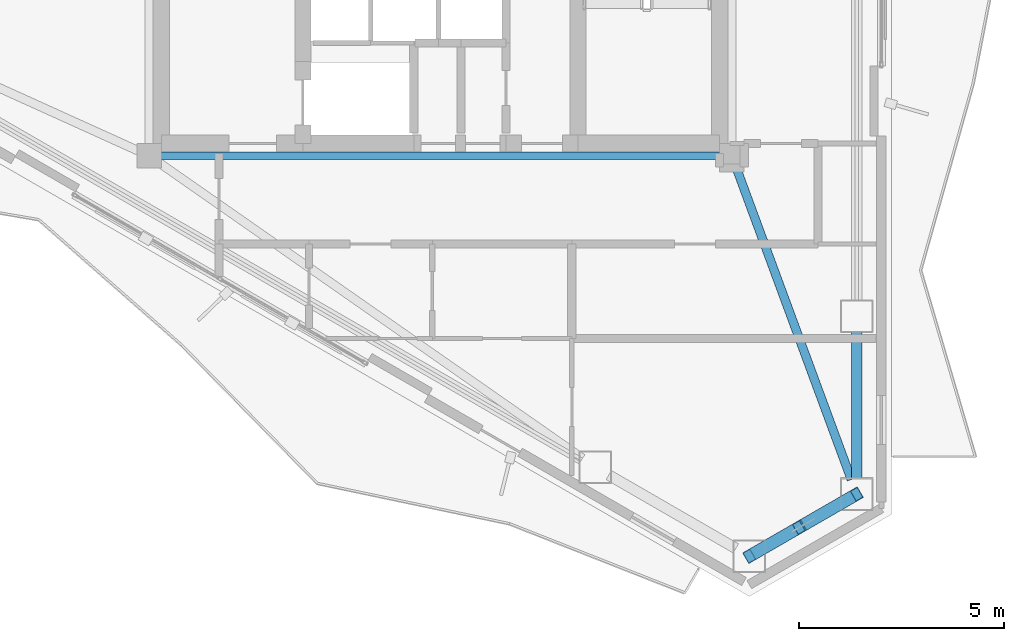
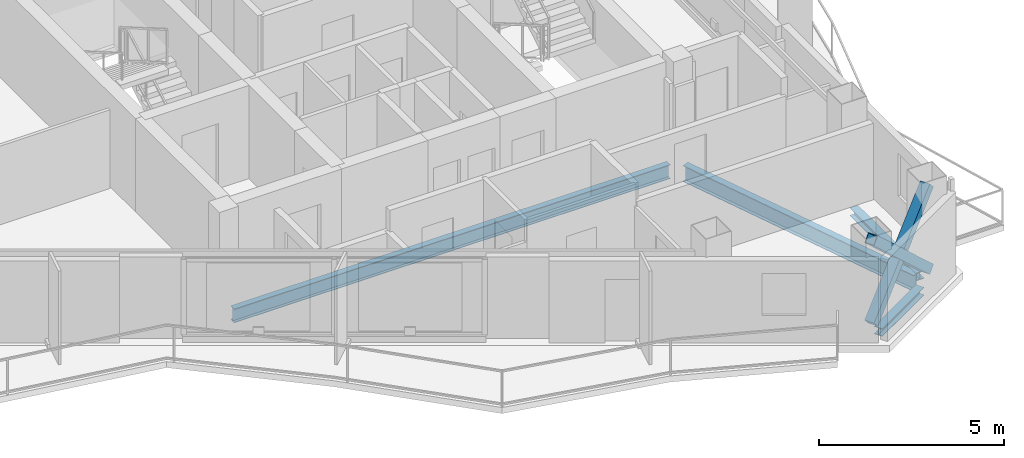
# One storey, part 6 of 18: 4 beams, 3 members.
"""IFC4 building model written with IfcOpenShell, lengths in metres."""

from ifc_helpers import new_model, si_unit, direction, frame, origin, origin_2d, place, context, subcontext, project, spatial, hollow_rectangle, i_section, extrude, material, material_profile, profile_set, type_object, element, save


model = new_model("IFC4")

# Units and contexts
model_context = context("Model", 3, precision=1e-05, world=origin(), true_north=direction((0.0, 1.0)))
body_context = subcontext(model_context, "Body", "Model", "MODEL_VIEW")
ifc_project = project(units=[si_unit("LENGTHUNIT", "METRE"), si_unit("AREAUNIT", "SQUARE_METRE"), si_unit("VOLUMEUNIT", "CUBIC_METRE"), si_unit("PLANEANGLEUNIT", "RADIAN"), si_unit("MASSUNIT", "GRAM", prefix="KILO")], contexts=[model_context])

# Site, building, storey
site_placement = place(None, origin())
site = spatial("IfcSite", under=ifc_project, at=site_placement, CompositionType="ELEMENT")
building_placement = place(site_placement, origin())
building = spatial("IfcBuilding", under=site, at=building_placement, Name="Mersakhor Tower and Convention Hall", CompositionType="ELEMENT")
storey_placement = place(building_placement, frame((0.0, 0.0, 229.800048828125)))
storey = spatial("IfcBuildingStorey", under=building, at=storey_placement, Name="L64", CompositionType="ELEMENT", Elevation=229.800048828125)

# Beams
ifc_material_1 = material(Name="Steel S355", Category="steel")
ifc_material_profile_1 = material_profile(ifc_material_1, i_section(OverallWidth=0.19140625, OverallDepth=0.4599609375, WebThickness=0.010009765625, FlangeThickness=0.01611328125, at=origin_2d()), Name="UB 457x191x82")
ifc_profile_set_1 = profile_set([ifc_material_profile_1], Name="Steel S355")
beam_type_1 = type_object("IfcBeamType", Name="BM-FB-457", PredefinedType="BEAM", material=ifc_profile_set_1)
beam_1_placement = place(storey_placement, frame((35.820068359375, 20.449951171875, -0.449951171875), z_axis=(-1.0, 0.0, 0.0), x_axis=(0.0, -1.0, 0.0)))
element("IfcBeam", 1, at=beam_1_placement, inside=storey, type_object=beam_type_1, Name="L64 Core Ring Tie Beam CRB-4", PredefinedType="BEAM", context=body_context, shape_type="SweptSolid", body=[
    extrude(i_section(OverallWidth=0.19140625, OverallDepth=0.4599609375, WebThickness=0.010009765625, FlangeThickness=0.01611328125, at=origin_2d()), origin(), (0.0, 0.0, 1.0), 13.64013671875),
])
ifc_material_2 = material(Name="Steel S355", Category="steel")
ifc_material_profile_2 = material_profile(ifc_material_2, i_section(OverallWidth=0.2099609375, OverallDepth=0.53662109375, WebThickness=0.0107421875, FlangeThickness=0.017333984375, at=origin_2d()), Name="UB 533x210x101")
ifc_profile_set_2 = profile_set([ifc_material_profile_2], Name="Steel S355")
beam_type_2 = type_object("IfcBeamType", Name="BM-FB-533", PredefinedType="BEAM", material=ifc_profile_set_2)
beam_2_placement = place(storey_placement, frame((36.197021484375, 20.187255859375, -0.48828125), z_axis=(0.346207764595, -0.938157867171, 0.0), x_axis=(0.938157867171, 0.346207764595, 0.0)))
element("IfcBeam", 2, at=beam_2_placement, inside=storey, type_object=beam_type_2, Name="L64 Primary Floor Girder FG-4", PredefinedType="BEAM", context=body_context, shape_type="SweptSolid", body=[
    extrude(i_section(OverallWidth=0.2099609375, OverallDepth=0.53662109375, WebThickness=0.0107421875, FlangeThickness=0.017333984375, at=origin_2d()), origin(), (0.0, 0.0, 1.0), 8.128662109375),
])
ifc_material_3 = material(Name="Steel S355", Category="steel")
ifc_material_profile_3 = material_profile(ifc_material_3, i_section(OverallWidth=0.25634765625, OverallDepth=0.26025390625, WebThickness=0.01025390625, FlangeThickness=0.017333984375, at=origin_2d()), Name="UC 254x254x89")
ifc_profile_set_3 = profile_set([ifc_material_profile_3], Name="Steel S355")
beam_type_3 = type_object("IfcBeamType", Name="BM-SPD-UC254", PredefinedType="SPANDREL", material=ifc_profile_set_3)
beam_3_placement = place(storey_placement, frame((39.142822265625, 16.1591796875, -0.35009765625), z_axis=(0.0, -1.0, 0.0), x_axis=(1.0, 0.0, 0.0)))
element("IfcBeam", 3, at=beam_3_placement, inside=storey, type_object=beam_type_3, Name="L64 Perimeter Spandrel Beam SPB-07", PredefinedType="SPANDREL", context=body_context, shape_type="SweptSolid", body=[
    extrude(i_section(OverallWidth=0.25634765625, OverallDepth=0.26025390625, WebThickness=0.01025390625, FlangeThickness=0.017333984375, at=origin_2d()), origin(), (0.0, 0.0, 1.0), 3.574462890625),
])
beam_4_placement = place(storey_placement, frame((38.813720703125, 12.0146484375, -0.35009765625), z_axis=(-0.866016678684, -0.500015112013, 0.0), x_axis=(0.500015112013, -0.866016678684, 0.0)))
element("IfcBeam", 4, at=beam_4_placement, inside=storey, type_object=beam_type_3, Name="L64 Perimeter Spandrel Beam SPB-08", PredefinedType="SPANDREL", context=body_context, shape_type="SweptSolid", body=[
    extrude(i_section(OverallWidth=0.25634765625, OverallDepth=0.26025390625, WebThickness=0.01025390625, FlangeThickness=0.017333984375, at=origin_2d()), origin(), (0.0, 0.0, 1.0), 2.2626953125),
])

# Members
ifc_material_4 = material(Name="Steel S355", Category="steel")
ifc_material_profile_4 = material_profile(ifc_material_4, hollow_rectangle(XDim=0.300048828125, YDim=0.300048828125, WallThickness=0.01611328125, at=origin_2d()), Name="SHS 300x300x16")
ifc_profile_set_4 = profile_set([ifc_material_profile_4], Name="Steel S355")
member_type = type_object("IfcMemberType", Name="MB-BRC-SHS300", PredefinedType="BRACE", material=ifc_profile_set_4)
member_placement = place(storey_placement, frame((39.142822265625, 12.20458984375, 0.14990234375), z_axis=(-0.637423019708, -0.367995569109, 0.676957277132), x_axis=(0.499978822259, -0.866037630414, 0.0)))
element("IfcMember", 5, at=member_placement, inside=storey, type_object=member_type, Name="L64 Chamfer Braced Frame Diagonal CB-2A", PredefinedType="BRACE", context=body_context, shape_type="SweptSolid", body=[
    extrude(hollow_rectangle(XDim=0.300048828125, YDim=0.300048828125, WallThickness=0.01611328125, at=origin_2d()), origin(), (0.0, 0.0, 1.0), 4.106689453125),
])
for number, where, z_axis, x_axis, name in (
    (6, (36.525146484375, 10.693359375, 0.14990234375), (0.6374128848, 0.367990943802, 0.676969334291), (-0.499980071345, 0.866036909293, 0.0), "L64 Chamfer Braced Frame Diagonal CB-2B Lower Half"),
    (7, (37.93505859375, 11.50732421875, 1.647216796875), (0.6374128848, 0.367990943802, 0.676969334291), (-0.499980071345, 0.866036909293, 0.0), "L64 Chamfer Braced Frame Diagonal CB-2B Upper Half"),
):
    element("IfcMember", number, at=place(storey_placement, frame(where, z_axis=z_axis, x_axis=x_axis)), inside=storey, type_object=member_type, Name=name, PredefinedType="BRACE", context=body_context, shape_type="SweptSolid", body=[
        extrude(hollow_rectangle(XDim=0.300048828125, YDim=0.300048828125, WallThickness=0.01611328125, at=origin_2d()), origin(), (0.0, 0.0, 1.0), 1.894775390625),
    ])

save(model, "model.ifc")
